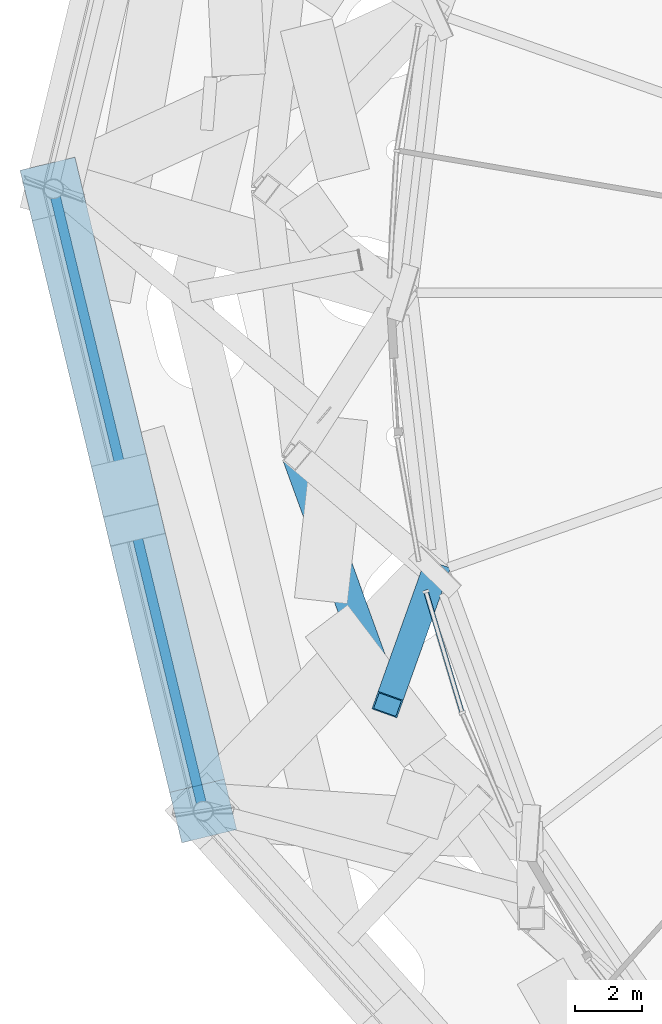
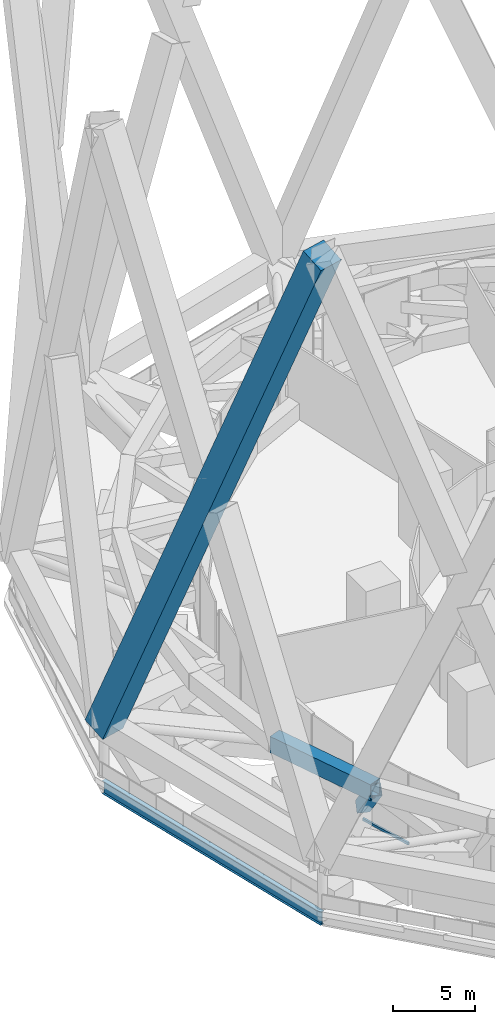
# One storey, part 6 of 51: 3 beams, 2 members, 1 element without a shape of its own.
"""IFC4 building model written with IfcOpenShell, lengths in metres."""

import ifcopenshell
import ifcopenshell.guid

model = None  # the IFC model being written
_history = None  # IfcOwnerHistory: only IFC2X3 demands one
_inside = {}  # id of a spatial element -> (the spatial element, [elements in it])
_under = {}  # id of a project, library or spatial element -> (it, [spatial elements below it])
_declared = {}  # id of a project -> (the project, [libraries it declares])
_typed = {}  # id of a type object -> (the type object, [elements of that type])
_made_of = {}  # id of a material, layer set ... -> (it, [elements and type objects made of it])


def new_model(schema):
    """Start an empty IFC model of exactly this schema.

    Asked for "IFC4X3", IfcOpenShell would pick the latest addendum, in which some entities
    have other attributes; the version numbers below select the first issue.
    IFC2X3 requires an IfcOwnerHistory on every rooted entity: one is made here for all.
    """
    global model, _history
    if schema == "IFC4X3":
        model = ifcopenshell.file(schema_version=(4, 3, 0, 0))
    else:
        model = ifcopenshell.file(schema=schema)
    _inside.clear()
    _under.clear()
    _declared.clear()
    _typed.clear()
    _made_of.clear()
    _history = None
    if model.schema == "IFC2X3":
        org = make("IfcOrganization", Name="unknown")
        user = make(
            "IfcPersonAndOrganization",
            ThePerson=make("IfcPerson", FamilyName="unknown"),
            TheOrganization=org,
        )
        app = make(
            "IfcApplication",
            ApplicationDeveloper=org,
            Version="unknown",
            ApplicationFullName="unknown",
            ApplicationIdentifier="unknown",
        )
        _history = make(
            "IfcOwnerHistory",
            OwningUser=user,
            OwningApplication=app,
            ChangeAction="ADDED",
            CreationDate=0,
        )
    return model


def make(cls, **values):
    """One entity of the class cls with the attributes given. An attribute that is None is left unset."""
    return model.create_entity(
        cls, **{name: value for name, value in values.items() if value is not None}
    )


def rooted(cls, **values):
    """An entity with a GlobalId (a new one), such as an element, a storey or a relation."""
    return make(cls, GlobalId=ifcopenshell.guid.new(), OwnerHistory=_history, **values)


def si_unit(unit_type, name, prefix=None):
    """IfcSIUnit, for example si_unit("LENGTHUNIT", "METRE", prefix="MILLI")."""
    return make("IfcSIUnit", UnitType=unit_type, Prefix=prefix, Name=name)


def assignment(units):
    """IfcUnitAssignment: the units of a project."""
    return None if units is None else make("IfcUnitAssignment", Units=units)


def point(xyz):
    """IfcCartesianPoint."""
    return None if xyz is None else make("IfcCartesianPoint", Coordinates=xyz)


def direction(xyz):
    """IfcDirection."""
    return None if xyz is None else make("IfcDirection", DirectionRatios=xyz)


def frame(location, z_axis=None, x_axis=None):
    """IfcAxis2Placement3D, a coordinate frame: its origin and axes. An axis left out is left unset."""
    return make(
        "IfcAxis2Placement3D",
        Location=point(location),
        Axis=direction(z_axis),
        RefDirection=direction(x_axis),
    )


def frame_2d(location, x_axis=None):
    """IfcAxis2Placement2D, a coordinate frame in the plane: its origin and x axis."""
    return make(
        "IfcAxis2Placement2D", Location=point(location), RefDirection=direction(x_axis)
    )


def origin():
    """The frame at (0, 0, 0) with its axes left unset."""
    return frame((0.0, 0.0, 0.0))


def origin_2d():
    """The frame at (0, 0) in the plane with its x axis left unset."""
    return frame_2d((0.0, 0.0))


def place(relative_to, where):
    """IfcLocalPlacement: puts the frame where relative to a parent placement (None: the world)."""
    return make(
        "IfcLocalPlacement", PlacementRelTo=relative_to, RelativePlacement=where
    )


def context(
    kind, dimensions, precision=None, world=None, true_north=None, identifier=None
):
    """IfcGeometricRepresentationContext, for example the 3D "Model" context."""
    return make(
        "IfcGeometricRepresentationContext",
        ContextIdentifier=identifier,
        ContextType=kind,
        CoordinateSpaceDimension=dimensions,
        Precision=precision,
        WorldCoordinateSystem=world,
        TrueNorth=true_north,
    )


def subcontext(parent, identifier, kind, view, scale=None):
    """IfcGeometricRepresentationSubContext, for example "Body" below "Model"."""
    return make(
        "IfcGeometricRepresentationSubContext",
        ContextIdentifier=identifier,
        ContextType=kind,
        ParentContext=parent,
        TargetScale=scale,
        TargetView=view,
    )


def project(units=None, contexts=None):
    """IfcProject with its units and contexts."""
    return rooted(
        "IfcProject",
        Name="project",
        RepresentationContexts=contexts,
        UnitsInContext=assignment(units),
    )


def spatial(cls, under=None, at=None, **own):
    """A site, building, storey or space (cls), placed at a placement, below another one or the project."""
    s = rooted(cls, ObjectPlacement=at, **own)
    if under is not None:
        _under.setdefault(under.id(), (under, []))[1].append(s)
    return s


def profile(cls, at=None, kind="AREA", **sizes):
    """A parametric profile (cls). Its sizes go by their IFC names, for example OverallWidth=200.0."""
    return make(cls, ProfileType=kind, Position=at, **sizes)


def rectangle(**sizes):
    """IfcRectangleProfileDef."""
    return profile("IfcRectangleProfileDef", **sizes)


def hollow_rectangle(**sizes):
    """IfcRectangleHollowProfileDef."""
    return profile("IfcRectangleHollowProfileDef", **sizes)


def i_section(**sizes):
    """IfcIShapeProfileDef."""
    return profile("IfcIShapeProfileDef", **sizes)


def extrude(swept, where, along, depth):
    """IfcExtrudedAreaSolid: the profile swept, set in the frame where, extruded along a direction by depth."""
    return make(
        "IfcExtrudedAreaSolid",
        SweptArea=swept,
        Position=where,
        ExtrudedDirection=direction(along),
        Depth=depth,
    )


def shape(context_of_items, identifier, shape_type, items):
    """IfcShapeRepresentation: the items that make up one representation, for example the "Body"."""
    return make(
        "IfcShapeRepresentation",
        ContextOfItems=context_of_items,
        RepresentationIdentifier=identifier,
        RepresentationType=shape_type,
        Items=items,
    )


def material(Name=None, Category=None):
    """IfcMaterial."""
    return make("IfcMaterial", Name=Name, Category=Category)


def layer(
    of_material, thickness, ventilated=None, Name=None, Category=None, Priority=None
):
    """IfcMaterialLayer: one layer of a wall or slab, of a material (None: an air gap)."""
    return make(
        "IfcMaterialLayer",
        Material=of_material,
        LayerThickness=thickness,
        IsVentilated=ventilated,
        Name=Name,
        Category=Category,
        Priority=Priority,
    )


def layer_set(layers, Name=None):
    """IfcMaterialLayerSet."""
    return make("IfcMaterialLayerSet", MaterialLayers=layers, LayerSetName=Name)


def material_profile(
    of_material, cross_section, Name=None, Category=None, Priority=None
):
    """IfcMaterialProfile: a cross section and its material."""
    return make(
        "IfcMaterialProfile",
        Name=Name,
        Material=of_material,
        Profile=cross_section,
        Priority=Priority,
        Category=Category,
    )


def profile_set(profiles, Name=None, composite=None):
    """IfcMaterialProfileSet."""
    return make(
        "IfcMaterialProfileSet",
        Name=Name,
        MaterialProfiles=profiles,
        CompositeProfile=composite,
    )


def made_of(thing, what):
    """Note that an element or type object is made of a material, layer set ...; save() writes the relation."""
    if what is not None:
        _made_of.setdefault(what.id(), (what, []))[1].append(thing)
    return thing


def type_object(cls, material=None, **own):
    """A type object (cls), such as IfcWallType, which elements share."""
    return made_of(rooted(cls, **own), material)


def element(
    cls,
    number,
    at=None,
    inside=None,
    cuts=None,
    type_object=None,
    material=None,
    context=None,
    identifier="Body",
    shape_type=None,
    held_by="IfcProductDefinitionShape",
    body=None,
    shapes=None,
    **own,
):
    """One element of the class cls, such as IfcWall. Its Tag is "e" and its number.

    at: its placement. inside: the storey or other place that contains it. cuts: it is an
    opening in that element (IfcRelVoidsElement). A single representation is given by context,
    identifier, shape_type and body (its items); several are given by shapes. held_by: the class
    of the entity that holds the representations. save() writes the other relations.
    """
    e = rooted(cls, Tag="e%d" % number, ObjectPlacement=at, **own)
    if body is not None:
        shapes = [shape(context, identifier, shape_type, body)]
    if shapes is not None:
        e.Representation = make(held_by, Representations=shapes)
    if inside is not None:
        _inside.setdefault(inside.id(), (inside, []))[1].append(e)
    if cuts is not None:
        rooted(
            "IfcRelVoidsElement", RelatingBuildingElement=cuts, RelatedOpeningElement=e
        )
    if type_object is not None:
        _typed.setdefault(type_object.id(), (type_object, []))[1].append(e)
    return made_of(e, material)


def aggregate(whole, parts):
    """IfcRelAggregates: a whole, such as a stair, and the parts it consists of."""
    return rooted("IfcRelAggregates", RelatingObject=whole, RelatedObjects=parts)


def save(model, path):
    """Write the relations noted so far, then the file.

    IfcRelAggregates (storeys below a building ...), IfcRelContainedInSpatialStructure (elements
    in a storey), IfcRelDefinesByType, IfcRelAssociatesMaterial and IfcRelDeclares: one each for
    every whole, place, type object, material and project.
    """
    for whole, parts in _under.values():
        aggregate(whole, parts)
    for where, things in _inside.values():
        rooted(
            "IfcRelContainedInSpatialStructure",
            RelatedElements=things,
            RelatingStructure=where,
        )
    for kind, things in _typed.values():
        rooted("IfcRelDefinesByType", RelatedObjects=things, RelatingType=kind)
    for what, things in _made_of.values():
        rooted("IfcRelAssociatesMaterial", RelatedObjects=things, RelatingMaterial=what)
    for by, libraries in _declared.values():
        rooted("IfcRelDeclares", RelatingContext=by, RelatedDefinitions=libraries)
    model.write(path)


model = new_model("IFC4")

# Units and contexts
model_context = context("Model", 3, precision=1e-05, world=origin(), true_north=direction((0.0, 1.0)))
body_context = subcontext(model_context, "Body", "Model", "MODEL_VIEW")
ifc_project = project(units=[si_unit("LENGTHUNIT", "METRE"), si_unit("AREAUNIT", "SQUARE_METRE"), si_unit("VOLUMEUNIT", "CUBIC_METRE"), si_unit("PLANEANGLEUNIT", "RADIAN"), si_unit("MASSUNIT", "GRAM", prefix="KILO")], contexts=[model_context])

# Site, building, storey
site_placement = place(None, origin())
site = spatial("IfcSite", under=ifc_project, at=site_placement, CompositionType="ELEMENT")
building_placement = place(site_placement, origin())
building = spatial("IfcBuilding", under=site, at=building_placement, Name="Nagisa Residences", CompositionType="ELEMENT")
storey_placement = place(building_placement, frame((0.0, 0.0, 67.699951171875)))
storey = spatial("IfcBuildingStorey", under=building, at=storey_placement, Name="L16", CompositionType="ELEMENT", Elevation=67.699951171875)

# Beams
ifc_material_1 = material(Name="Steel ASTM A572 Gr 50", Category="steel")
ifc_material_profile_1 = material_profile(ifc_material_1, hollow_rectangle(XDim=0.89990234375, YDim=1.199951171875, WallThickness=0.050048828125, at=origin_2d()), Name="BX 900x1200x50")
ifc_profile_set_1 = profile_set([ifc_material_profile_1], Name="Steel ASTM A572 Gr 50")
beam_type_1 = type_object("IfcBeamType", Name="Belt chord 1 BX 900x1200x50", PredefinedType="BEAM", material=ifc_profile_set_1)
beam_1_placement = place(storey_placement, frame((-28.068359375, -4.90966796875, 4.739990234375), z_axis=(0.341378490928, -0.939925915129, 0.0), x_axis=(0.939925915129, 0.341378490928, 0.0)))
element("IfcBeam", 1, at=beam_1_placement, inside=storey, type_object=beam_type_1, Name="beam:L16:bt1t14", PredefinedType="BEAM", context=body_context, shape_type="SweptSolid", body=[
    extrude(hollow_rectangle(XDim=0.89990234375, YDim=1.199951171875, WallThickness=0.050048828125, at=origin_2d()), origin(), (0.0, 0.0, 1.0), 7.958251953125),
])
ifc_material_2 = material(Name="Steel ASTM A572 Gr 50", Category="steel")
ifc_material_profile_2 = material_profile(ifc_material_2, hollow_rectangle(XDim=0.800048828125, YDim=0.800048828125, WallThickness=0.044921875, at=origin_2d()), Name="BX 800x800x45")
ifc_profile_set_2 = profile_set([ifc_material_profile_2], Name="Steel ASTM A572 Gr 50")
beam_type_2 = type_object("IfcBeamType", Name="Belt diagonal 1 BX 800x800x45", PredefinedType="BEAM", material=ifc_profile_set_2)
beam_2_placement = place(storey_placement, frame((-23.928955078125, -8.41162109375, 0.60009765625), z_axis=(-0.240501767257, -0.672554710392, 0.699877890403), x_axis=(0.941607178679, -0.336713410872, 0.0)))
element("IfcBeam", 2, at=beam_2_placement, inside=storey, type_object=beam_type_2, Name="beam:L16:bt1db14", PredefinedType="BEAM", context=body_context, shape_type="SweptSolid", body=[
    extrude(hollow_rectangle(XDim=0.800048828125, YDim=0.800048828125, WallThickness=0.044921875, at=origin_2d()), origin(), (0.0, 0.0, 1.0), 5.915283203125),
])

# Curtain wall, member
ifc_material_3 = material(Name="Aluminium curtain wall system", Category="aluminium")
ifc_layer = layer(ifc_material_3, 0.159912109375)
ifc_layer_set = layer_set([ifc_layer], Name="CW2 CURTAIN WALL")
curtain_wall_type = type_object("IfcCurtainWallType", Name="CW2 CURTAIN WALL", PredefinedType="NOTDEFINED", material=ifc_layer_set)
curtain_wall_placement = place(storey_placement, origin())
curtain_wall = element("IfcCurtainWall", 3, at=curtain_wall_placement, inside=storey, type_object=curtain_wall_type, Name="cw:CW2:L16:26", PredefinedType="NOTDEFINED")
ifc_material_4 = material(Name="Aluminium", Category="aluminium")
ifc_material_profile_3 = material_profile(ifc_material_4, rectangle(XDim=0.139892578125, YDim=0.179931640625, at=origin_2d()), Name="CW2 TRANSOM 140x180")
ifc_profile_set_3 = profile_set([ifc_material_profile_3], Name="Aluminium")
member_type_1 = type_object("IfcMemberType", Name="CW2 TRANSOM 140x180", PredefinedType="USERDEFINED", material=ifc_profile_set_3)
member_1_placement = place(storey_placement, frame((-24.20654296875, -8.949462890625, 0.090087890625), z_axis=(0.285832955611, -0.958279458972, 0.0), x_axis=(0.958279458972, 0.285832955611, 0.0)))
member_1 = element("IfcMember", 4, at=member_1_placement, type_object=member_type_1, Name="CW2 transom", ObjectType="TRANSOM", PredefinedType="USERDEFINED", context=body_context, shape_type="SweptSolid", body=[
    extrude(rectangle(XDim=0.139892578125, YDim=0.179931640625, at=origin_2d()), origin(), (0.0, 0.0, 1.0), 3.8154296875),
])
aggregate(curtain_wall, [member_1])

# Member
ifc_material_5 = material(Name="Concrete C80", Category="concrete")
ifc_material_profile_4 = material_profile(ifc_material_5, rectangle(XDim=1.699951171875, YDim=1.699951171875, at=origin_2d()), Name="C80 1700x1700")
ifc_profile_set_4 = profile_set([ifc_material_profile_4], Name="Concrete C80")
member_type_2 = type_object("IfcMemberType", Name="Cage diagonal 2 C80 1700x1700", PredefinedType="BRACE", material=ifc_profile_set_4)
member_2_placement = place(storey_placement, frame((-35.39501953125, 3.11767578125, 3.699951171875), z_axis=(0.092838574686, -0.385867250156, 0.917871158882), x_axis=(0.972255388085, 0.233921910771, 0.0)))
element("IfcMember", 5, at=member_2_placement, inside=storey, type_object=member_type_2, Name="mem:L16:cg2d013", PredefinedType="BRACE", context=body_context, shape_type="SweptSolid", body=[
    extrude(rectangle(XDim=1.699951171875, YDim=1.699951171875, at=origin_2d()), origin(), (0.0, 0.0, 1.0), 48.481689453125),
])

# Beam
ifc_material_6 = material(Name="Steel ASTM A572 Gr 50", Category="steel")
ifc_material_profile_5 = material_profile(ifc_material_6, i_section(OverallWidth=0.300048828125, OverallDepth=0.97998046875, WebThickness=0.0166015625, FlangeThickness=0.02587890625, at=origin_2d()), Name="W1000x249")
ifc_profile_set_5 = profile_set([ifc_material_profile_5], Name="Steel ASTM A572 Gr 50")
beam_type_3 = type_object("IfcBeamType", Name="Deck edge beam W1000x249", PredefinedType="BEAM", material=ifc_profile_set_5)
beam_3_placement = place(storey_placement, frame((-35.39501953125, 3.11767578125, -0.889892578125), z_axis=(0.233921910771, -0.972255388085, 0.0), x_axis=(0.972255388085, 0.233921910771, 0.0)))
element("IfcBeam", 6, at=beam_3_placement, inside=storey, type_object=beam_type_3, Name="beam:L16:deckedge07", PredefinedType="BEAM", context=body_context, shape_type="SweptSolid", body=[
    extrude(i_section(OverallWidth=0.300048828125, OverallDepth=0.97998046875, WebThickness=0.0166015625, FlangeThickness=0.02587890625, at=origin_2d()), origin(), (0.0, 0.0, 1.0), 19.241455078125),
])

save(model, "model.ifc")
